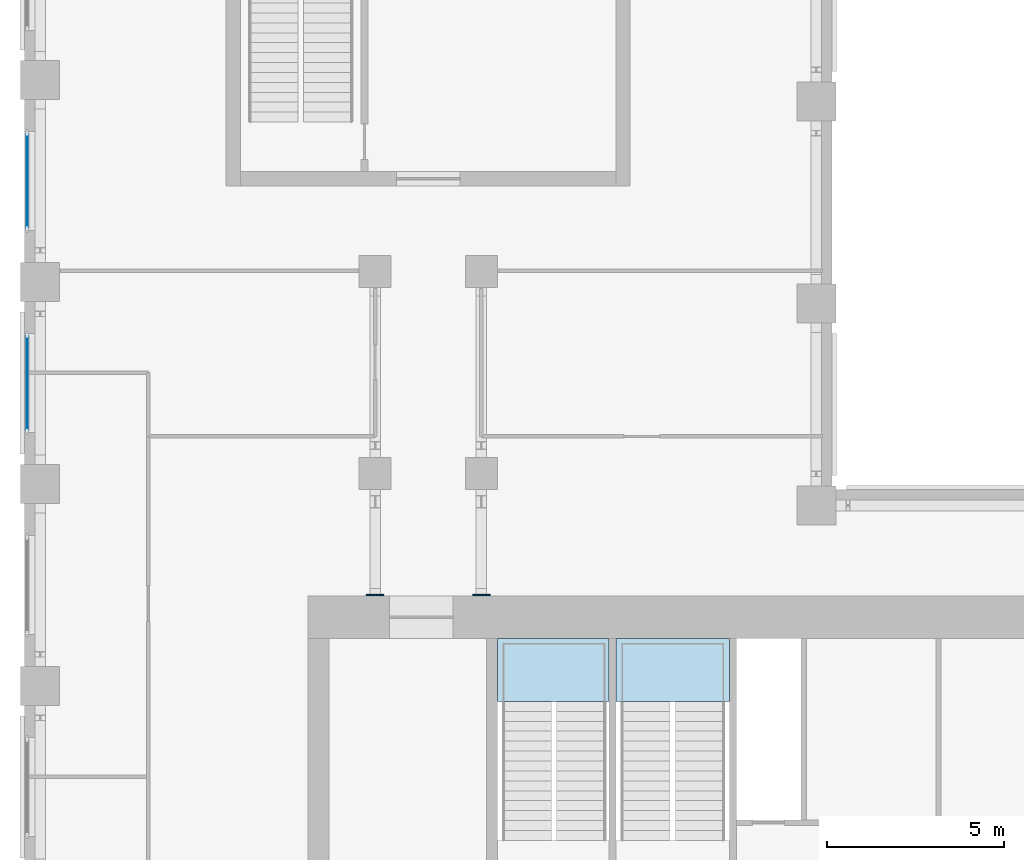
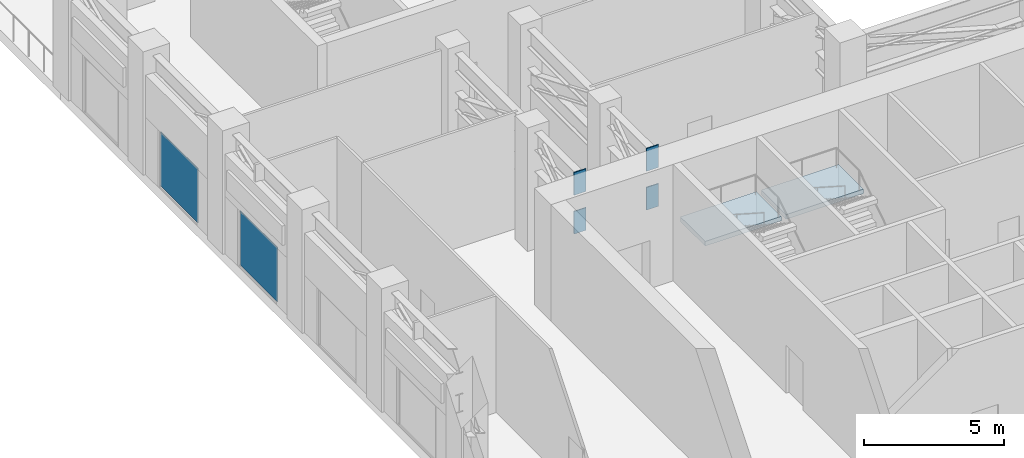
# One storey, part 10 of 21: 6 plates, 2 slabs, 4 elements without a shape of their own.
"""IFC4 building model written with IfcOpenShell, lengths in metres."""

from ifc_helpers import new_model, si_unit, direction, frame, origin, origin_2d, place, context, subcontext, project, spatial, polyline, rectangle, outline, extrude, material, layer, layer_set, type_object, element, aggregate, save


model = new_model("IFC4")

# Units and contexts
model_context = context("Model", 3, precision=1e-05, world=origin(), true_north=direction((0.0, 1.0)))
body_context = subcontext(model_context, "Body", "Model", "MODEL_VIEW")
ifc_project = project(units=[si_unit("LENGTHUNIT", "METRE"), si_unit("AREAUNIT", "SQUARE_METRE"), si_unit("VOLUMEUNIT", "CUBIC_METRE"), si_unit("PLANEANGLEUNIT", "RADIAN"), si_unit("MASSUNIT", "GRAM", prefix="KILO")], contexts=[model_context])

# Site, building, storey
site_placement = place(None, origin())
site = spatial("IfcSite", under=ifc_project, at=site_placement, CompositionType="ELEMENT")
building_placement = place(site_placement, origin())
building = spatial("IfcBuilding", under=site, at=building_placement, Name="Meshkara Civic Tower", CompositionType="ELEMENT")
storey_placement = place(building_placement, frame((0.0, 0.0, 284.39990234375)))
storey = spatial("IfcBuildingStorey", under=building, at=storey_placement, Name="L65", CompositionType="ELEMENT", Elevation=284.39990234375)

# Curtain wall, plate
ifc_material_1 = material(Name="Tinted double glazing", Category="glass")
curtain_wall_type = type_object("IfcCurtainWallType", Name="CW SKY LOBBY BAND", PredefinedType="NOTDEFINED", material=ifc_material_1)
curtain_wall_1_placement = place(storey_placement, origin())
curtain_wall_1 = element("IfcCurtainWall", 1, at=curtain_wall_1_placement, inside=storey, type_object=curtain_wall_type, Name="Curtain wall CW2", PredefinedType="NOTDEFINED")
ifc_material_2 = material(Name="Tinted double glazing", Category="glass")
ifc_layer_1 = layer(ifc_material_2, 0.028076171875)
ifc_layer_set_1 = layer_set([ifc_layer_1], Name="CW PANEL IGU 28")
plate_type_1 = type_object("IfcPlateType", Name="CW PANEL IGU 28", PredefinedType="CURTAIN_PANEL", material=ifc_layer_set_1)
plate_1_placement = place(storey_placement, frame((0.080078125, 48.60546875, 0.06005859375), z_axis=(0.0, 0.0, 1.0), x_axis=(0.0, -1.0, 0.0)))
plate_1 = element("IfcPlate", 2, at=plate_1_placement, type_object=plate_type_1, Name="CW2 panel 1.1", PredefinedType="CURTAIN_PANEL", context=body_context, shape_type="SweptSolid", body=[
    extrude(rectangle(XDim=2.678955078125, YDim=0.028076171875, at=origin_2d()), origin(), (0.0, 0.0, 1.0), 2.3798828125),
])
aggregate(curtain_wall_1, [plate_1])

curtain_wall_2_placement = place(storey_placement, origin())
curtain_wall_2 = element("IfcCurtainWall", 3, at=curtain_wall_2_placement, inside=storey, type_object=curtain_wall_type, Name="Curtain wall CW2", PredefinedType="NOTDEFINED")
plate_2_placement = place(storey_placement, frame((0.080078125, 42.905029296875, 0.06005859375), z_axis=(0.0, 0.0, 1.0), x_axis=(0.0, -1.0, 0.0)))
plate_2 = element("IfcPlate", 4, at=plate_2_placement, type_object=plate_type_1, Name="CW2 panel 1.1", PredefinedType="CURTAIN_PANEL", context=body_context, shape_type="SweptSolid", body=[
    extrude(rectangle(XDim=2.679931640625, YDim=0.028076171875, at=origin_2d()), origin(), (0.0, 0.0, 1.0), 2.3798828125),
])
aggregate(curtain_wall_2, [plate_2])

# Plates
ifc_material_3 = material(Name="Steel S355", Category="steel")
ifc_layer_2 = layer(ifc_material_3, 0.0400390625)
ifc_layer_set_2 = layer_set([ifc_layer_2], Name="Cast-in plate 40 500x990 S355")
plate_type_2 = type_object("IfcPlateType", Name="Cast-in plate 40 500x990 S355", PredefinedType="SHEET", material=ifc_layer_set_2)
for number, where, z_axis, x_axis, name in (
    (5, (9.89990234375, 36.919921875, 4.2099609375), (0.0, 0.0, 1.0), (0.0, 1.0, 0.0), "Cast-in plate OSA1"),
    (6, (9.89990234375, 36.919921875, 2.51025390625), (0.0, 0.0, 1.0), (0.0, 1.0, 0.0), "Cast-in plate OSA1"),
    (7, (12.89990234375, 36.919921875, 4.2099609375), (0.0, 0.0, 1.0), (0.0, 1.0, 0.0), "Cast-in plate OSA2"),
    (8, (12.89990234375, 36.919921875, 2.51025390625), (0.0, 0.0, 1.0), (0.0, 1.0, 0.0), "Cast-in plate OSA2"),
):
    element("IfcPlate", number, at=place(storey_placement, frame(where, z_axis=z_axis, x_axis=x_axis)), inside=storey, type_object=plate_type_2, Name=name, PredefinedType="SHEET", context=body_context, shape_type="SweptSolid", body=[
        extrude(rectangle(XDim=0.0400390625, YDim=0.5, at=origin_2d()), origin(), (0.0, 0.0, 1.0), 0.989990234375),
    ])

# Stair, slab
ifc_material_4 = material(Name="Precast concrete C40/50", Category="concrete")
stair_type = type_object("IfcStairType", Name="Exit stair half-turn 30 risers precast", PredefinedType="HALF_TURN_STAIR", material=ifc_material_4)
stair_1_placement = place(storey_placement, origin())
stair_1 = element("IfcStair", 9, at=stair_1_placement, inside=storey, type_object=stair_type, Name="L65 exit stair 1", PredefinedType="HALF_TURN_STAIR")
ifc_material_5 = material(Name="Precast concrete C40/50", Category="concrete")
ifc_layer_3 = layer(ifc_material_5, 0.199951171875)
ifc_layer_set_3 = layer_set([ifc_layer_3], Name="Exit stair landing 200")
slab_type = type_object("IfcSlabType", Name="Exit stair landing 200", PredefinedType="LANDING", material=ifc_layer_set_3)
slab_1_placement = place(storey_placement, frame((0.0, 0.0, 2.5)))
slab_1 = element("IfcSlab", 10, at=slab_1_placement, type_object=slab_type, Name="ST1 landing 1", PredefinedType="LANDING", context=body_context, shape_type="SweptSolid", body=[
    extrude(outline(polyline([(16.5, 33.91845703125), (16.5, 35.699951171875), (13.35009765625, 35.699951171875), (13.35009765625, 33.91845703125), (16.5, 33.91845703125)])), origin(), (0.0, 0.0, 1.0), 0.2001953125),
])
aggregate(stair_1, [slab_1])

stair_2_placement = place(storey_placement, origin())
stair_2 = element("IfcStair", 11, at=stair_2_placement, inside=storey, type_object=stair_type, Name="L65 exit stair 2", PredefinedType="HALF_TURN_STAIR")
slab_2_placement = place(storey_placement, frame((0.0, 0.0, 2.5)))
slab_2 = element("IfcSlab", 12, at=slab_2_placement, type_object=slab_type, Name="ST2 landing 1", PredefinedType="LANDING", context=body_context, shape_type="SweptSolid", body=[
    extrude(outline(polyline([(19.89990234375, 33.91845703125), (19.89990234375, 35.699951171875), (16.699951171875, 35.699951171875), (16.699951171875, 33.91845703125), (19.89990234375, 33.91845703125)])), origin(), (0.0, 0.0, 1.0), 0.2001953125),
])
aggregate(stair_2, [slab_2])

save(model, "model.ifc")
